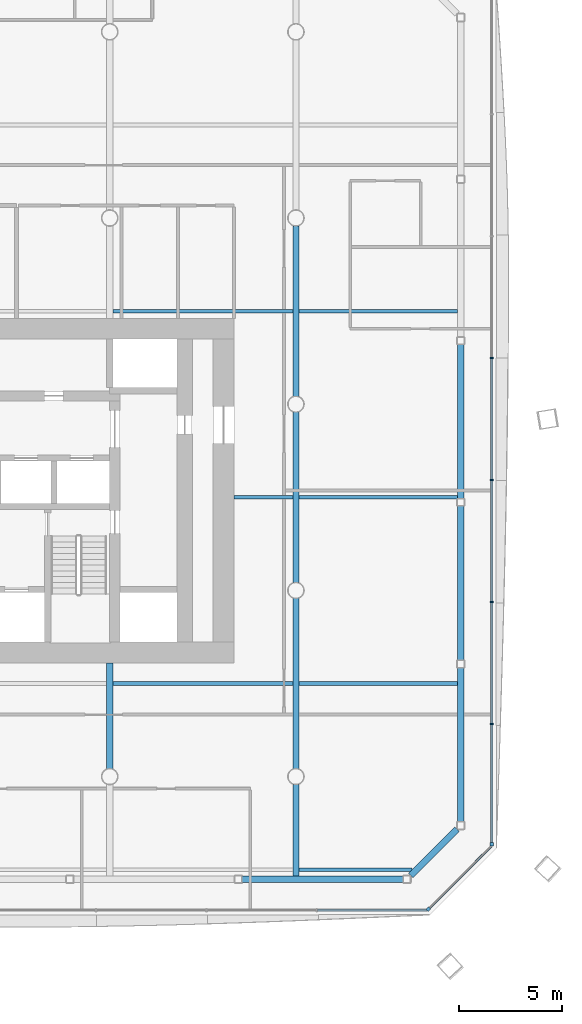
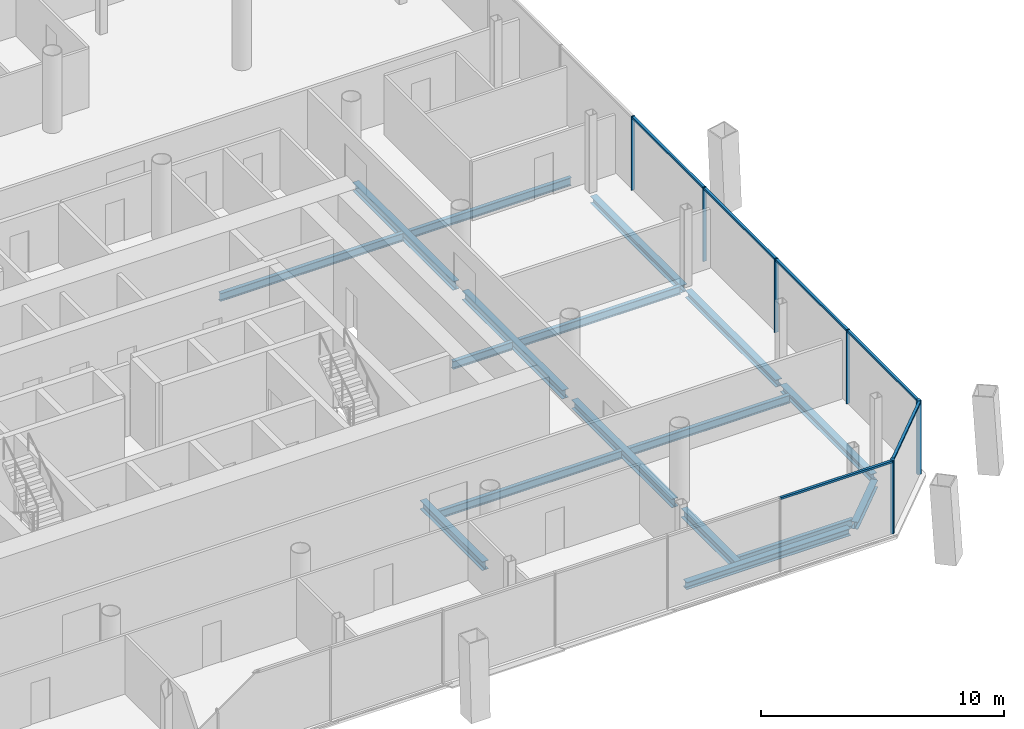
# One storey, part 6 of 19: 17 beams, 12 members, 3 elements without a shape of their own.
"""IFC4 building model written with IfcOpenShell, lengths in metres."""

from ifc_helpers import new_model, si_unit, direction, frame, origin, origin_2d, place, context, subcontext, project, spatial, rectangle, i_section, extrude, material, material_profile, profile_set, type_object, element, aggregate, save


model = new_model("IFC4")

# Units and contexts
model_context = context("Model", 3, precision=1e-05, world=origin(), true_north=direction((0.0, 1.0)))
body_context = subcontext(model_context, "Body", "Model", "MODEL_VIEW")
ifc_project = project(units=[si_unit("LENGTHUNIT", "METRE"), si_unit("AREAUNIT", "SQUARE_METRE"), si_unit("VOLUMEUNIT", "CUBIC_METRE"), si_unit("PLANEANGLEUNIT", "RADIAN"), si_unit("MASSUNIT", "GRAM", prefix="KILO")], contexts=[model_context])

# Site, building, storey
site_placement = place(None, origin())
site = spatial("IfcSite", under=ifc_project, at=site_placement, CompositionType="ELEMENT")
building_placement = place(site_placement, origin())
building = spatial("IfcBuilding", under=site, at=building_placement, Name="Tskaro Facet Tower", CompositionType="ELEMENT")
storey_placement = place(building_placement, frame((0.0, 0.0, 93.300048828125)))
storey = spatial("IfcBuildingStorey", under=building, at=storey_placement, Name="L22", CompositionType="ELEMENT", Elevation=93.300048828125)

# Curtain wall, member
ifc_material_1 = material(Name="Bronze anodised aluminium 6063-T6", Category="aluminium")
curtain_wall_type = type_object("IfcCurtainWallType", Name="Bronze office curtain wall (FW1)", PredefinedType="NOTDEFINED", material=ifc_material_1)
curtain_wall_1_placement = place(storey_placement, origin())
curtain_wall_1 = element("IfcCurtainWall", 1, at=curtain_wall_1_placement, inside=storey, type_object=curtain_wall_type, Name="FW1 south-east facet L22", PredefinedType="NOTDEFINED")
ifc_material_profile_1 = material_profile(ifc_material_1, rectangle(XDim=0.159912109375, YDim=0.159912109375, at=origin_2d()), Name="Corner post 160x160")
ifc_profile_set_1 = profile_set([ifc_material_profile_1], Name="Bronze anodised aluminium 6063-T6")
member_type_1 = type_object("IfcMemberType", Name="FW1 bronze corner post 160x160", PredefinedType="MULLION", material=ifc_profile_set_1)
member_1_placement = place(storey_placement, frame((24.404541015625, -24.406494140625, 0.0), z_axis=(0.0, 0.0, 1.0), x_axis=(0.707106781187, 0.707106781187, 0.0)))
member_1 = element("IfcMember", 2, at=member_1_placement, type_object=member_type_1, Name="FW1 south-east corner post", PredefinedType="MULLION", context=body_context, shape_type="SweptSolid", body=[
    extrude(rectangle(XDim=0.159912109375, YDim=0.159912109375, at=origin_2d()), origin(), (0.0, 0.0, 1.0), 3.699951171875),
])

# Curtain wall, members
curtain_wall_2_placement = place(storey_placement, origin())
curtain_wall_2 = element("IfcCurtainWall", 3, at=curtain_wall_2_placement, inside=storey, type_object=curtain_wall_type, Name="FW1 east facet L22", PredefinedType="NOTDEFINED")
member_2_placement = place(storey_placement, frame((27.462890625, -21.26806640625, 0.0), z_axis=(0.0, 0.0, 1.0), x_axis=(0.0, 1.0, 0.0)))
member_2 = element("IfcMember", 4, at=member_2_placement, type_object=member_type_1, Name="FW1 east corner post", PredefinedType="MULLION", context=body_context, shape_type="SweptSolid", body=[
    extrude(rectangle(XDim=0.159912109375, YDim=0.159912109375, at=origin_2d()), origin(), (0.0, 0.0, 1.0), 3.699951171875),
])
ifc_material_profile_2 = material_profile(ifc_material_1, rectangle(XDim=0.06005859375, YDim=0.159912109375, at=origin_2d()), Name="Mullion 60x160")
ifc_profile_set_2 = profile_set([ifc_material_profile_2], Name="Bronze anodised aluminium 6063-T6")
member_type_2 = type_object("IfcMemberType", Name="FW1 bronze mullion 60x160", PredefinedType="MULLION", material=ifc_profile_set_2)
member_3_placement = place(storey_placement, frame((27.462890625, -15.45361328125, 0.0), z_axis=(0.0, 0.0, 1.0), x_axis=(0.0, 1.0, 0.0)))
member_3 = element("IfcMember", 5, at=member_3_placement, type_object=member_type_2, Name="FW1 east mullion 1", PredefinedType="MULLION", context=body_context, shape_type="SweptSolid", body=[
    extrude(rectangle(XDim=0.06005859375, YDim=0.159912109375, at=origin_2d()), origin(), (0.0, 0.0, 1.0), 3.699951171875),
])
member_4_placement = place(storey_placement, frame((27.462890625, -9.55908203125, 0.0), z_axis=(0.0, 0.0, 1.0), x_axis=(0.0, 1.0, 0.0)))
member_4 = element("IfcMember", 6, at=member_4_placement, type_object=member_type_2, Name="FW1 east mullion 2", PredefinedType="MULLION", context=body_context, shape_type="SweptSolid", body=[
    extrude(rectangle(XDim=0.06005859375, YDim=0.159912109375, at=origin_2d()), origin(), (0.0, 0.0, 1.0), 3.699951171875),
])
member_5_placement = place(storey_placement, frame((27.462890625, -3.664794921875, 0.0), z_axis=(0.0, 0.0, 1.0), x_axis=(0.0, 1.0, 0.0)))
member_5 = element("IfcMember", 7, at=member_5_placement, type_object=member_type_2, Name="FW1 east mullion 3", PredefinedType="MULLION", context=body_context, shape_type="SweptSolid", body=[
    extrude(rectangle(XDim=0.06005859375, YDim=0.159912109375, at=origin_2d()), origin(), (0.0, 0.0, 1.0), 3.699951171875),
])
member_6_placement = place(storey_placement, frame((27.462890625, 2.229736328125, 0.0), z_axis=(0.0, 0.0, 1.0), x_axis=(0.0, 1.0, 0.0)))
member_6 = element("IfcMember", 8, at=member_6_placement, type_object=member_type_2, Name="FW1 east mullion 4", PredefinedType="MULLION", context=body_context, shape_type="SweptSolid", body=[
    extrude(rectangle(XDim=0.06005859375, YDim=0.159912109375, at=origin_2d()), origin(), (0.0, 0.0, 1.0), 3.699951171875),
])

# Curtain wall, member
curtain_wall_3_placement = place(storey_placement, origin())
curtain_wall_3 = element("IfcCurtainWall", 9, at=curtain_wall_3_placement, inside=storey, type_object=curtain_wall_type, Name="FW1 south facet L22", PredefinedType="NOTDEFINED")
ifc_material_profile_3 = material_profile(ifc_material_1, rectangle(XDim=0.1201171875, YDim=0.10009765625, at=origin_2d()), Name="Transom 120x100")
ifc_profile_set_3 = profile_set([ifc_material_profile_3], Name="Bronze anodised aluminium 6063-T6")
member_type_3 = type_object("IfcMemberType", Name="FW1 bronze transom 120x100", PredefinedType="USERDEFINED", material=ifc_profile_set_3)
member_7_placement = place(storey_placement, frame((19.041015625, -24.462890625, 3.64990234375), z_axis=(1.0, 0.0, 0.0), x_axis=(0.0, 1.0, 0.0)))
member_7 = element("IfcMember", 10, at=member_7_placement, type_object=member_type_3, Name="FW1 south transom 8.1", ObjectType="TRANSOM", PredefinedType="USERDEFINED", context=body_context, shape_type="SweptSolid", body=[
    extrude(rectangle(XDim=0.1201171875, YDim=0.10009765625, at=origin_2d()), origin(), (0.0, 0.0, 1.0), 5.306884765625),
])
aggregate(curtain_wall_3, [member_7])

# Member
member_8_placement = place(storey_placement, frame((24.461181640625, -24.349853515625, 3.64990234375), z_axis=(0.707078025904, 0.7071355353, 0.0), x_axis=(-0.7071355353, 0.707078025904, 0.0)))
member_8 = element("IfcMember", 11, at=member_8_placement, type_object=member_type_3, Name="FW1 south-east transom 1.1", ObjectType="TRANSOM", PredefinedType="USERDEFINED", context=body_context, shape_type="SweptSolid", body=[
    extrude(rectangle(XDim=0.1201171875, YDim=0.10009765625, at=origin_2d()), origin(), (0.0, 0.0, 1.0), 4.2451171875),
])

aggregate(curtain_wall_1, [member_1, member_8])

member_9_placement = place(storey_placement, frame((27.462890625, -21.18798828125, 3.64990234375), z_axis=(0.0, 1.0, 0.0), x_axis=(-1.0, 0.0, 0.0)))
member_9 = element("IfcMember", 12, at=member_9_placement, type_object=member_type_3, Name="FW1 east transom 1.1", ObjectType="TRANSOM", PredefinedType="USERDEFINED", context=body_context, shape_type="SweptSolid", body=[
    extrude(rectangle(XDim=0.1201171875, YDim=0.10009765625, at=origin_2d()), origin(), (0.0, 0.0, 1.0), 5.704345703125),
])

member_10_placement = place(storey_placement, frame((27.462890625, -15.423583984375, 3.64990234375), z_axis=(0.0, 1.0, 0.0), x_axis=(-1.0, 0.0, 0.0)))
member_10 = element("IfcMember", 13, at=member_10_placement, type_object=member_type_3, Name="FW1 east transom 2.1", ObjectType="TRANSOM", PredefinedType="USERDEFINED", context=body_context, shape_type="SweptSolid", body=[
    extrude(rectangle(XDim=0.1201171875, YDim=0.10009765625, at=origin_2d()), origin(), (0.0, 0.0, 1.0), 5.83447265625),
])

member_11_placement = place(storey_placement, frame((27.462890625, -9.529052734375, 3.64990234375), z_axis=(0.0, 1.0, 0.0), x_axis=(-1.0, 0.0, 0.0)))
member_11 = element("IfcMember", 14, at=member_11_placement, type_object=member_type_3, Name="FW1 east transom 3.1", ObjectType="TRANSOM", PredefinedType="USERDEFINED", context=body_context, shape_type="SweptSolid", body=[
    extrude(rectangle(XDim=0.1201171875, YDim=0.10009765625, at=origin_2d()), origin(), (0.0, 0.0, 1.0), 5.834228515625),
])

member_12_placement = place(storey_placement, frame((27.462890625, -3.634765625, 3.64990234375), z_axis=(0.0, 1.0, 0.0), x_axis=(-1.0, 0.0, 0.0)))
member_12 = element("IfcMember", 15, at=member_12_placement, type_object=member_type_3, Name="FW1 east transom 4.1", ObjectType="TRANSOM", PredefinedType="USERDEFINED", context=body_context, shape_type="SweptSolid", body=[
    extrude(rectangle(XDim=0.1201171875, YDim=0.10009765625, at=origin_2d()), origin(), (0.0, 0.0, 1.0), 5.83447265625),
])

aggregate(curtain_wall_2, [member_2, member_3, member_4, member_5, member_6, member_9, member_10, member_11, member_12])

# Beams
ifc_material_2 = material(Name="Steel S355J2", Category="steel")
ifc_material_profile_4 = material_profile(ifc_material_2, i_section(OverallWidth=0.300048828125, OverallDepth=0.360107421875, WebThickness=0.012451171875, FlangeThickness=0.0224609375, FilletRadius=0.027099609375, at=origin_2d()), Name="HE 360 B")
ifc_profile_set_4 = profile_set([ifc_material_profile_4], Name="Steel S355J2")
beam_type_1 = type_object("IfcBeamType", Name="HE 360 B ring beam", PredefinedType="BEAM", material=ifc_profile_set_4)
beam_1_placement = place(storey_placement, frame((15.39794921875, -22.965087890625, -0.320068359375), z_axis=(1.0, 0.0, 0.0), x_axis=(0.0, 1.0, 0.0)))
element("IfcBeam", 16, at=beam_1_placement, inside=storey, type_object=beam_type_1, Name="HE 360 B EB5-2", PredefinedType="BEAM", context=body_context, shape_type="SweptSolid", body=[
    extrude(i_section(OverallWidth=0.300048828125, OverallDepth=0.360107421875, WebThickness=0.012451171875, FlangeThickness=0.0224609375, FilletRadius=0.027099609375, at=origin_2d()), origin(), (0.0, 0.0, 1.0), 7.7861328125),
])
beam_2_placement = place(storey_placement, frame((23.5498046875, -22.779052734375, -0.320068359375), z_axis=(0.707106781187, 0.707106781187, 0.0), x_axis=(-0.707106781187, 0.707106781187, 0.0)))
element("IfcBeam", 17, at=beam_2_placement, inside=storey, type_object=beam_type_1, Name="HE 360 B EB6-2", PredefinedType="BEAM", context=body_context, shape_type="SweptSolid", body=[
    extrude(i_section(OverallWidth=0.300048828125, OverallDepth=0.360107421875, WebThickness=0.012451171875, FlangeThickness=0.0224609375, FilletRadius=0.027099609375, at=origin_2d()), origin(), (0.0, 0.0, 1.0), 3.152587890625),
])
beam_3_placement = place(storey_placement, frame((25.965087890625, -20.18408203125, -0.320068359375), z_axis=(0.0, 1.0, 0.0), x_axis=(-1.0, 0.0, 0.0)))
element("IfcBeam", 18, at=beam_3_placement, inside=storey, type_object=beam_type_1, Name="HE 360 B EB7-2", PredefinedType="BEAM", context=body_context, shape_type="SweptSolid", body=[
    extrude(i_section(OverallWidth=0.300048828125, OverallDepth=0.360107421875, WebThickness=0.012451171875, FlangeThickness=0.0224609375, FilletRadius=0.027099609375, at=origin_2d()), origin(), (0.0, 0.0, 1.0), 7.451171875),
])
beam_4_placement = place(storey_placement, frame((25.965087890625, -12.373046875, -0.320068359375), z_axis=(0.0, 1.0, 0.0), x_axis=(-1.0, 0.0, 0.0)))
element("IfcBeam", 19, at=beam_4_placement, inside=storey, type_object=beam_type_1, Name="HE 360 B EB8-2", PredefinedType="BEAM", context=body_context, shape_type="SweptSolid", body=[
    extrude(i_section(OverallWidth=0.300048828125, OverallDepth=0.360107421875, WebThickness=0.012451171875, FlangeThickness=0.0224609375, FilletRadius=0.027099609375, at=origin_2d()), origin(), (0.0, 0.0, 1.0), 7.450927734375),
])
beam_5_placement = place(storey_placement, frame((25.965087890625, -4.56201171875, -0.320068359375), z_axis=(0.0, 1.0, 0.0), x_axis=(-1.0, 0.0, 0.0)))
element("IfcBeam", 20, at=beam_5_placement, inside=storey, type_object=beam_type_1, Name="HE 360 B EB9-2", PredefinedType="BEAM", context=body_context, shape_type="SweptSolid", body=[
    extrude(i_section(OverallWidth=0.300048828125, OverallDepth=0.360107421875, WebThickness=0.012451171875, FlangeThickness=0.0224609375, FilletRadius=0.027099609375, at=origin_2d()), origin(), (0.0, 0.0, 1.0), 7.449951171875),
])
ifc_material_profile_5 = material_profile(ifc_material_2, i_section(OverallWidth=0.300048828125, OverallDepth=0.43994140625, WebThickness=0.011474609375, FlangeThickness=0.02099609375, FilletRadius=0.027099609375, at=origin_2d()), Name="HE 450 A")
ifc_profile_set_5 = profile_set([ifc_material_profile_5], Name="Steel S355J2")
beam_type_2 = type_object("IfcBeamType", Name="HE 450 A girder", PredefinedType="BEAM", material=ifc_profile_set_5)
beam_6_placement = place(storey_placement, frame((9.0, -17.62353515625, -0.360107421875), z_axis=(0.0, 1.0, 0.0), x_axis=(-1.0, 0.0, 0.0)))
element("IfcBeam", 21, at=beam_6_placement, inside=storey, type_object=beam_type_2, Name="HE 450 A GB5-2-2", PredefinedType="BEAM", context=body_context, shape_type="SweptSolid", body=[
    extrude(i_section(OverallWidth=0.300048828125, OverallDepth=0.43994140625, WebThickness=0.011474609375, FlangeThickness=0.02099609375, FilletRadius=0.027099609375, at=origin_2d()), origin(), (0.0, 0.0, 1.0), 5.12353515625),
])
beam_7_placement = place(storey_placement, frame((18.0, -22.81494140625, -0.360107421875), z_axis=(0.0, 1.0, 0.0), x_axis=(-1.0, 0.0, 0.0)))
element("IfcBeam", 22, at=beam_7_placement, inside=storey, type_object=beam_type_2, Name="HE 450 A GB6-1-2", PredefinedType="BEAM", context=body_context, shape_type="SweptSolid", body=[
    extrude(i_section(OverallWidth=0.300048828125, OverallDepth=0.43994140625, WebThickness=0.011474609375, FlangeThickness=0.02099609375, FilletRadius=0.027099609375, at=origin_2d()), origin(), (0.0, 0.0, 1.0), 4.4384765625),
])
for number, where, z_axis, x_axis, name in (
    (23, (18.0, -17.62353515625, -0.360107421875), (0.0, 1.0, 0.0), (-1.0, 0.0, 0.0), "HE 450 A GB6-2-2"),
    (24, (18.0, -8.62353515625, -0.360107421875), (0.0, 1.0, 0.0), (-1.0, 0.0, 0.0), "HE 450 A GB6-3-2"),
    (25, (18.0, 0.37646484375, -0.360107421875), (0.0, 1.0, 0.0), (-1.0, 0.0, 0.0), "HE 450 A GB6-4-2"),
):
    element("IfcBeam", number, at=place(storey_placement, frame(where, z_axis=z_axis, x_axis=x_axis)), inside=storey, type_object=beam_type_2, Name=name, PredefinedType="BEAM", context=body_context, shape_type="SweptSolid", body=[
        extrude(i_section(OverallWidth=0.300048828125, OverallDepth=0.43994140625, WebThickness=0.011474609375, FlangeThickness=0.02099609375, FilletRadius=0.027099609375, at=origin_2d()), origin(), (0.0, 0.0, 1.0), 8.2470703125),
    ])
ifc_material_profile_6 = material_profile(ifc_material_2, i_section(OverallWidth=0.179931640625, OverallDepth=0.39990234375, WebThickness=0.008544921875, FlangeThickness=0.013427734375, FilletRadius=0.02099609375, at=origin_2d()), Name="IPE 400")
ifc_profile_set_6 = profile_set([ifc_material_profile_6], Name="Steel S355J2")
beam_type_3 = type_object("IfcBeamType", Name="IPE 400 secondary beam", PredefinedType="BEAM", material=ifc_profile_set_6)
beam_8_placement = place(storey_placement, frame((18.14990234375, -22.5, -0.340087890625), z_axis=(1.0, 0.0, 0.0), x_axis=(0.0, 1.0, 0.0)))
element("IfcBeam", 26, at=beam_8_placement, inside=storey, type_object=beam_type_3, Name="IPE 400 SB1a-5-2", PredefinedType="BEAM", context=body_context, shape_type="SweptSolid", body=[
    extrude(i_section(OverallWidth=0.179931640625, OverallDepth=0.39990234375, WebThickness=0.008544921875, FlangeThickness=0.013427734375, FilletRadius=0.02099609375, at=origin_2d()), origin(), (0.0, 0.0, 1.0), 5.467041015625),
])
beam_9_placement = place(storey_placement, frame((9.14990234375, -13.5, -0.340087890625), z_axis=(1.0, 0.0, 0.0), x_axis=(0.0, 1.0, 0.0)))
element("IfcBeam", 27, at=beam_9_placement, inside=storey, type_object=beam_type_3, Name="IPE 400 SB2a-4-2", PredefinedType="BEAM", context=body_context, shape_type="SweptSolid", body=[
    extrude(i_section(OverallWidth=0.179931640625, OverallDepth=0.39990234375, WebThickness=0.008544921875, FlangeThickness=0.013427734375, FilletRadius=0.02099609375, at=origin_2d()), origin(), (0.0, 0.0, 1.0), 8.7001953125),
])
beam_10_placement = place(storey_placement, frame((18.14990234375, -13.5, -0.340087890625), z_axis=(1.0, 0.0, 0.0), x_axis=(0.0, 1.0, 0.0)))
element("IfcBeam", 28, at=beam_10_placement, inside=storey, type_object=beam_type_3, Name="IPE 400 SB2a-5-2", PredefinedType="BEAM", context=body_context, shape_type="SweptSolid", body=[
    extrude(i_section(OverallWidth=0.179931640625, OverallDepth=0.39990234375, WebThickness=0.008544921875, FlangeThickness=0.013427734375, FilletRadius=0.02099609375, at=origin_2d()), origin(), (0.0, 0.0, 1.0), 7.6650390625),
])
beam_11_placement = place(storey_placement, frame((15.0, -4.5, -0.340087890625), z_axis=(1.0, 0.0, 0.0), x_axis=(0.0, 1.0, 0.0)))
element("IfcBeam", 29, at=beam_11_placement, inside=storey, type_object=beam_type_3, Name="IPE 400 SB3a-2-2", PredefinedType="BEAM", context=body_context, shape_type="SweptSolid", body=[
    extrude(i_section(OverallWidth=0.179931640625, OverallDepth=0.39990234375, WebThickness=0.008544921875, FlangeThickness=0.013427734375, FilletRadius=0.02099609375, at=origin_2d()), origin(), (0.0, 0.0, 1.0), 2.85009765625),
])
beam_12_placement = place(storey_placement, frame((18.14990234375, -4.5, -0.340087890625), z_axis=(1.0, 0.0, 0.0), x_axis=(0.0, 1.0, 0.0)))
element("IfcBeam", 30, at=beam_12_placement, inside=storey, type_object=beam_type_3, Name="IPE 400 SB3a-3-2", PredefinedType="BEAM", context=body_context, shape_type="SweptSolid", body=[
    extrude(i_section(OverallWidth=0.179931640625, OverallDepth=0.39990234375, WebThickness=0.008544921875, FlangeThickness=0.013427734375, FilletRadius=0.02099609375, at=origin_2d()), origin(), (0.0, 0.0, 1.0), 7.6650390625),
])
beam_13_placement = place(storey_placement, frame((9.14990234375, 4.5, -0.340087890625), z_axis=(1.0, 0.0, 0.0), x_axis=(0.0, 1.0, 0.0)))
element("IfcBeam", 31, at=beam_13_placement, inside=storey, type_object=beam_type_3, Name="IPE 400 SB4a-4-2", PredefinedType="BEAM", context=body_context, shape_type="SweptSolid", body=[
    extrude(i_section(OverallWidth=0.179931640625, OverallDepth=0.39990234375, WebThickness=0.008544921875, FlangeThickness=0.013427734375, FilletRadius=0.02099609375, at=origin_2d()), origin(), (0.0, 0.0, 1.0), 8.7001953125),
])
beam_14_placement = place(storey_placement, frame((18.14990234375, 4.5, -0.340087890625), z_axis=(1.0, 0.0, 0.0), x_axis=(0.0, 1.0, 0.0)))
element("IfcBeam", 32, at=beam_14_placement, inside=storey, type_object=beam_type_3, Name="IPE 400 SB4a-5-2", PredefinedType="BEAM", context=body_context, shape_type="SweptSolid", body=[
    extrude(i_section(OverallWidth=0.179931640625, OverallDepth=0.39990234375, WebThickness=0.008544921875, FlangeThickness=0.013427734375, FilletRadius=0.02099609375, at=origin_2d()), origin(), (0.0, 0.0, 1.0), 7.6650390625),
])

save(model, "model.ifc")
